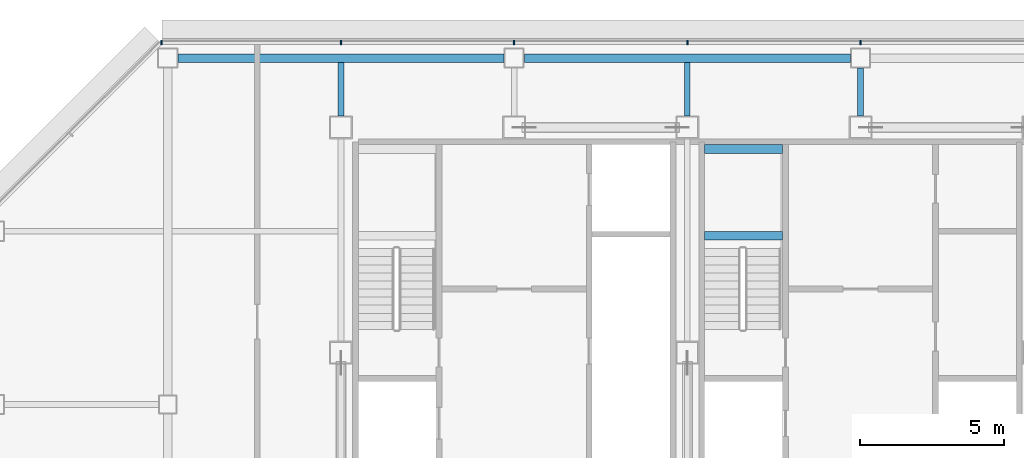
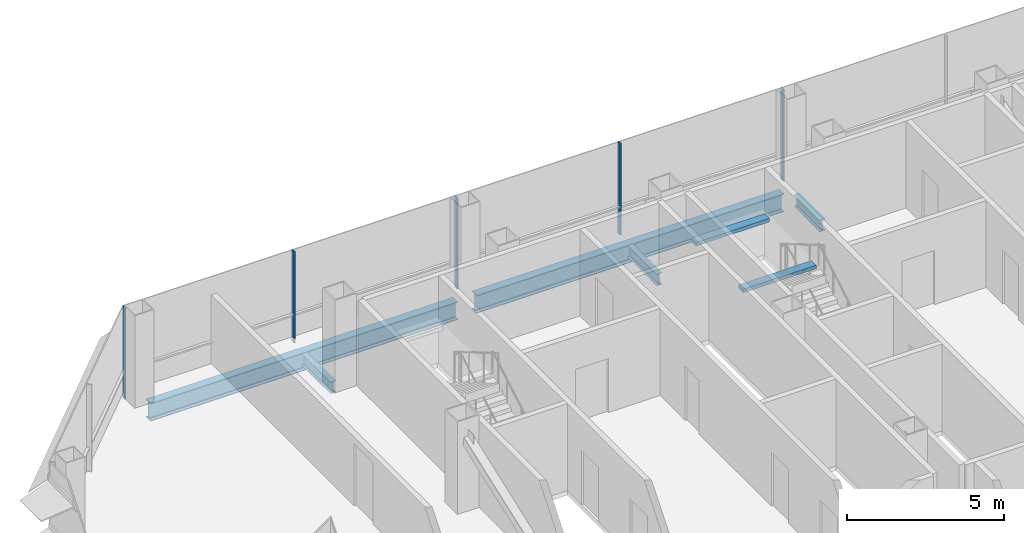
# One storey, part 12 of 26: 7 beams, 5 members, 1 element without a shape of its own.
"""IFC4 building model written with IfcOpenShell, lengths in metres."""

from ifc_helpers import new_model, si_unit, direction, frame, origin, origin_2d, place, context, subcontext, project, spatial, rectangle, i_section, extrude, material, material_profile, profile_set, type_object, element, aggregate, save


model = new_model("IFC4")

# Units and contexts
model_context = context("Model", 3, precision=1e-05, world=origin(), true_north=direction((0.0, 1.0)))
body_context = subcontext(model_context, "Body", "Model", "MODEL_VIEW")
ifc_project = project(units=[si_unit("LENGTHUNIT", "METRE"), si_unit("AREAUNIT", "SQUARE_METRE"), si_unit("VOLUMEUNIT", "CUBIC_METRE"), si_unit("PLANEANGLEUNIT", "RADIAN"), si_unit("MASSUNIT", "GRAM", prefix="KILO")], contexts=[model_context])

# Site, building, storey
site_placement = place(None, origin())
site = spatial("IfcSite", under=ifc_project, at=site_placement, CompositionType="ELEMENT")
building_placement = place(site_placement, origin())
building = spatial("IfcBuilding", under=site, at=building_placement, Name="Sorahane Residences", CompositionType="ELEMENT")
storey_placement = place(building_placement, frame((0.0, 0.0, 158.199951171875)))
storey = spatial("IfcBuildingStorey", under=building, at=storey_placement, Name="L36", CompositionType="ELEMENT", Elevation=158.199951171875)

# Curtain wall, members
ifc_material_1 = material(Name="Dark low-e glass and black anodised aluminium", Category="aluminium")
curtain_wall_type = type_object("IfcCurtainWallType", Name="Curtain wall CW-1 Typical unitised wall", PredefinedType="NOTDEFINED", material=ifc_material_1)
curtain_wall_placement = place(storey_placement, origin())
curtain_wall = element("IfcCurtainWall", 1, at=curtain_wall_placement, inside=storey, type_object=curtain_wall_type, Name="CW-1 curtain wall L36 N1", PredefinedType="NOTDEFINED")
ifc_material_2 = material(Name="Black anodised aluminium", Category="aluminium")
ifc_material_profile_1 = material_profile(ifc_material_2, rectangle(XDim=0.159912109375, YDim=0.050048828125, at=origin_2d()), Name="Curtain wall mullion CW-1 black anodised aluminium 50x160")
ifc_profile_set_1 = profile_set([ifc_material_profile_1], Name="Black anodised aluminium")
member_type = type_object("IfcMemberType", Name="Curtain wall mullion CW-1 black anodised aluminium 50x160", PredefinedType="MULLION", material=ifc_profile_set_1)
member_1_placement = place(storey_placement, frame((24.0, 48.5400390625, -0.179931640625), z_axis=(0.0, 0.0, 1.0), x_axis=(0.0, 1.0, 0.0)))
member_1 = element("IfcMember", 2, at=member_1_placement, type_object=member_type, Name="CW-1 mullion L36 N1.6", PredefinedType="MULLION", context=body_context, shape_type="SweptSolid", body=[
    extrude(rectangle(XDim=0.159912109375, YDim=0.050048828125, at=origin_2d()), origin(), (0.0, 0.0, 1.0), 3.56005859375),
])
member_2_placement = place(storey_placement, frame((18.0, 48.5400390625, -0.179931640625), z_axis=(0.0, 0.0, 1.0), x_axis=(0.0, 1.0, 0.0)))
member_2 = element("IfcMember", 3, at=member_2_placement, type_object=member_type, Name="CW-1 mullion L36 N1.7", PredefinedType="MULLION", context=body_context, shape_type="SweptSolid", body=[
    extrude(rectangle(XDim=0.159912109375, YDim=0.050048828125, at=origin_2d()), origin(), (0.0, 0.0, 1.0), 3.56005859375),
])
member_3_placement = place(storey_placement, frame((12.0, 48.5400390625, -0.179931640625), z_axis=(0.0, 0.0, 1.0), x_axis=(0.0, 1.0, 0.0)))
member_3 = element("IfcMember", 4, at=member_3_placement, type_object=member_type, Name="CW-1 mullion L36 N1.8", PredefinedType="MULLION", context=body_context, shape_type="SweptSolid", body=[
    extrude(rectangle(XDim=0.159912109375, YDim=0.050048828125, at=origin_2d()), origin(), (0.0, 0.0, 1.0), 3.56005859375),
])
member_4_placement = place(storey_placement, frame((6.0, 48.5400390625, -0.179931640625), z_axis=(0.0, 0.0, 1.0), x_axis=(0.0, 1.0, 0.0)))
member_4 = element("IfcMember", 5, at=member_4_placement, type_object=member_type, Name="CW-1 mullion L36 N1.9", PredefinedType="MULLION", context=body_context, shape_type="SweptSolid", body=[
    extrude(rectangle(XDim=0.159912109375, YDim=0.050048828125, at=origin_2d()), origin(), (0.0, 0.0, 1.0), 3.56005859375),
])
member_5_placement = place(storey_placement, frame((-0.2236328125, 48.5400390625, -0.179931640625), z_axis=(0.0, 0.0, 1.0), x_axis=(0.0, 1.0, 0.0)))
member_5 = element("IfcMember", 6, at=member_5_placement, type_object=member_type, Name="CW-1 mullion L36 N1.10", PredefinedType="MULLION", context=body_context, shape_type="SweptSolid", body=[
    extrude(rectangle(XDim=0.159912109375, YDim=0.050048828125, at=origin_2d()), origin(), (0.0, 0.0, 1.0), 3.56005859375),
])
aggregate(curtain_wall, [member_1, member_2, member_3, member_4, member_5])

# Beams
ifc_material_3 = material(Name="Concrete C40", Category="concrete")
ifc_material_profile_2 = material_profile(ifc_material_3, rectangle(XDim=0.300048828125, YDim=0.139892578125, at=origin_2d()), Name="300x140")
ifc_profile_set_2 = profile_set([ifc_material_profile_2], Name="Concrete C40")
beam_type_1 = type_object("IfcBeamType", Name="RC landing beam 300 x 140 Concrete C40", PredefinedType="BEAM", material=ifc_profile_set_2)
for number, where, z_axis, x_axis, name in (
    (7, (18.60009765625, 41.85009765625, 1.530029296875), (1.0, 0.0, 0.0), (0.0, 1.0, 0.0), "Landing beam"),
    (8, (18.60009765625, 44.85009765625, 1.530029296875), (1.0, 0.0, 0.0), (0.0, 1.0, 0.0), "Landing beam"),
):
    element("IfcBeam", number, at=place(storey_placement, frame(where, z_axis=z_axis, x_axis=x_axis)), inside=storey, type_object=beam_type_1, Name=name, PredefinedType="BEAM", context=body_context, shape_type="SweptSolid", body=[
        extrude(rectangle(XDim=0.300048828125, YDim=0.139892578125, at=origin_2d()), origin(), (0.0, 0.0, 1.0), 2.699951171875),
    ])
ifc_material_4 = material(Name="Steel Q355B", Category="steel")
ifc_material_profile_3 = material_profile(ifc_material_4, i_section(OverallWidth=0.199951171875, OverallDepth=0.449951171875, WebThickness=0.009033203125, FlangeThickness=0.013916015625, FilletRadius=0.02001953125, at=origin_2d()), Name="HN 450x200x9x14")
ifc_profile_set_3 = profile_set([ifc_material_profile_3], Name="Steel Q355B")
beam_type_2 = type_object("IfcBeamType", Name="Steel floor beam HN 450x200x9x14 Q355B", PredefinedType="BEAM", material=ifc_profile_set_3)
for number, where, z_axis, x_axis, name in (
    (9, (6.0, 46.0, -0.405029296875), (0.0, 1.0, 0.0), (-1.0, 0.0, 0.0), "Beam L36 033"),
    (10, (18.0, 46.0, -0.405029296875), (0.0, 1.0, 0.0), (-1.0, 0.0, 0.0), "Beam L36 041"),
):
    element("IfcBeam", number, at=place(storey_placement, frame(where, z_axis=z_axis, x_axis=x_axis)), inside=storey, type_object=beam_type_2, Name=name, PredefinedType="BEAM", context=body_context, shape_type="SweptSolid", body=[
        extrude(i_section(OverallWidth=0.199951171875, OverallDepth=0.449951171875, WebThickness=0.009033203125, FlangeThickness=0.013916015625, FilletRadius=0.02001953125, at=origin_2d()), origin(), (0.0, 0.0, 1.0), 1.85009765625),
    ])
beam_placement = place(storey_placement, frame((24.0, 46.0, -0.405029296875), z_axis=(0.0, 1.0, 0.0), x_axis=(-1.0, 0.0, 0.0)))
element("IfcBeam", 11, at=beam_placement, inside=storey, type_object=beam_type_2, Name="Beam L36 043", PredefinedType="BEAM", context=body_context, shape_type="SweptSolid", body=[
    extrude(i_section(OverallWidth=0.199951171875, OverallDepth=0.449951171875, WebThickness=0.009033203125, FlangeThickness=0.013916015625, FilletRadius=0.02001953125, at=origin_2d()), origin(), (0.0, 0.0, 1.0), 1.64990234375),
])
ifc_material_5 = material(Name="Steel Q355B", Category="steel")
ifc_material_profile_4 = material_profile(ifc_material_5, i_section(OverallWidth=0.300048828125, OverallDepth=0.699951171875, WebThickness=0.012939453125, FlangeThickness=0.02392578125, FilletRadius=0.028076171875, at=origin_2d()), Name="HN 700x300x13x24")
ifc_profile_set_4 = profile_set([ifc_material_profile_4], Name="Steel Q355B")
beam_type_3 = type_object("IfcBeamType", Name="Steel floor beam HN 700x300x13x24 Q355B", PredefinedType="BEAM", material=ifc_profile_set_4)
for number, where, z_axis, x_axis, name in (
    (12, (0.35009765625, 48.0, -0.530029296875), (1.0, 0.0, 0.0), (0.0, 1.0, 0.0), "Beam L36 015"),
    (13, (12.35009765625, 48.0, -0.530029296875), (1.0, 0.0, 0.0), (0.0, 1.0, 0.0), "Beam L36 016"),
):
    element("IfcBeam", number, at=place(storey_placement, frame(where, z_axis=z_axis, x_axis=x_axis)), inside=storey, type_object=beam_type_3, Name=name, PredefinedType="BEAM", context=body_context, shape_type="SweptSolid", body=[
        extrude(i_section(OverallWidth=0.300048828125, OverallDepth=0.699951171875, WebThickness=0.012939453125, FlangeThickness=0.02392578125, FilletRadius=0.028076171875, at=origin_2d()), origin(), (0.0, 0.0, 1.0), 11.2998046875),
    ])

save(model, "model.ifc")
